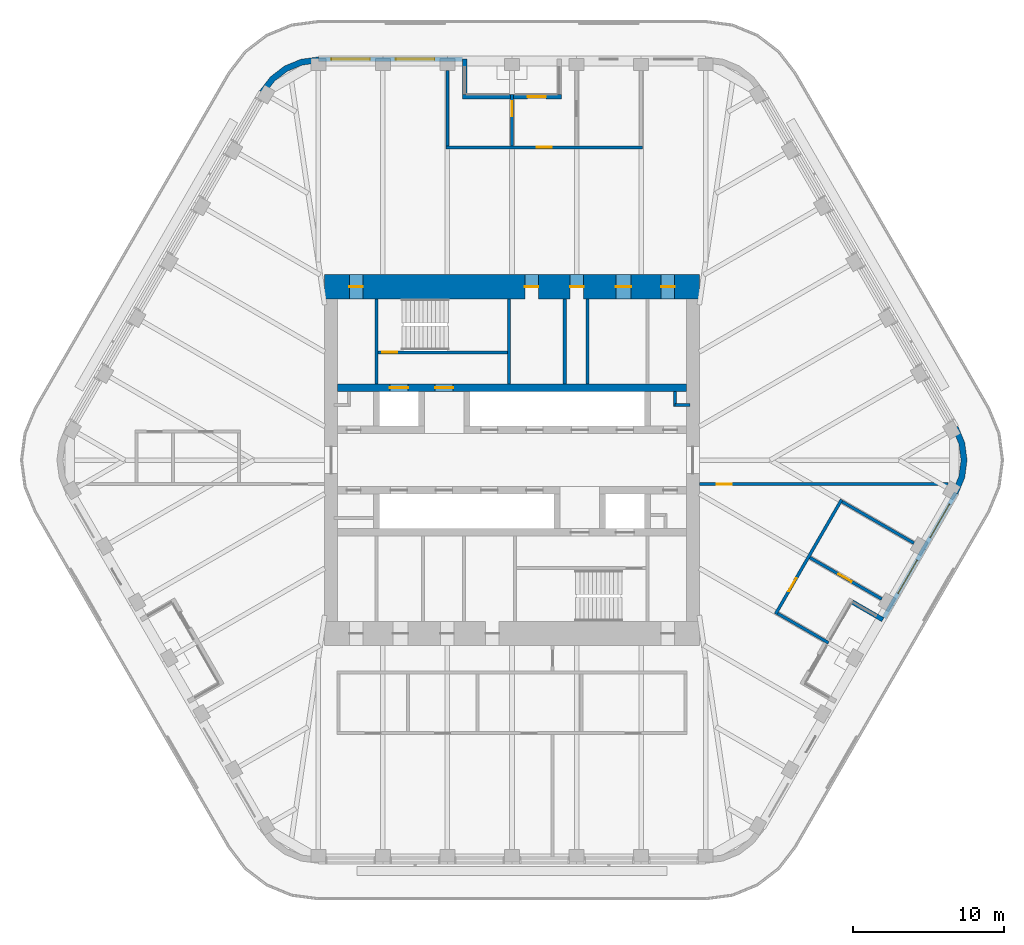
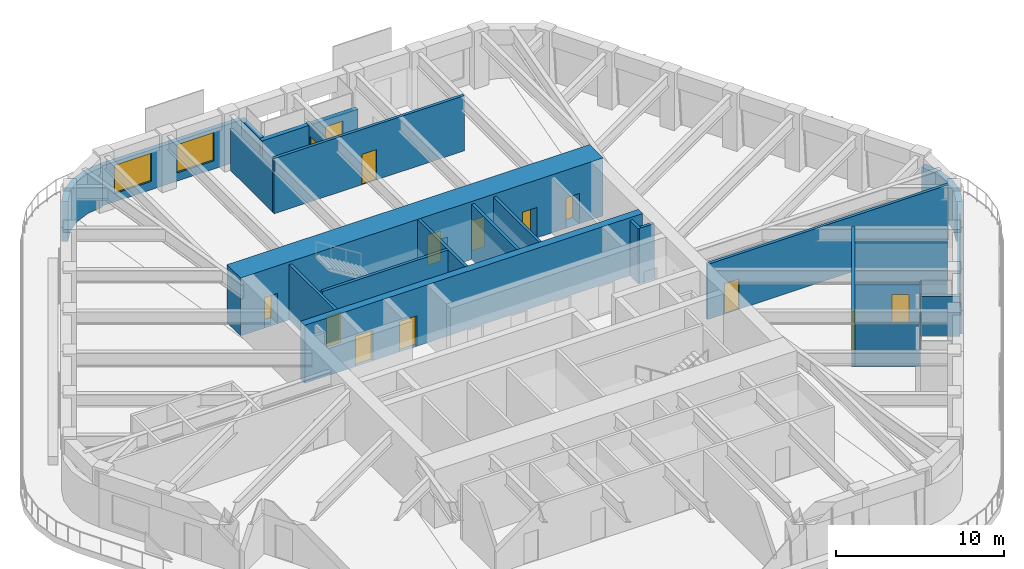
# One storey, part 15 of 19: 24 walls, 14 doors, 4 windows, 18 openings.
"""IFC4 building model written with IfcOpenShell, lengths in metres."""

from ifc_helpers import new_model, si_unit, direction, frame, frame_2d, origin, place, context, subcontext, project, spatial, polyline, rectangle, outline, extrude, material, layer, layer_set, type_object, element, fill, save


model = new_model("IFC4")

# Units and contexts
model_context = context("Model", 3, precision=1e-05, world=origin(), true_north=direction((0.0, 1.0)))
body_context = subcontext(model_context, "Body", "Model", "MODEL_VIEW")
ifc_project = project(units=[si_unit("LENGTHUNIT", "METRE"), si_unit("AREAUNIT", "SQUARE_METRE"), si_unit("VOLUMEUNIT", "CUBIC_METRE"), si_unit("PLANEANGLEUNIT", "RADIAN"), si_unit("MASSUNIT", "GRAM", prefix="KILO")], contexts=[model_context])

# Site, building, storey
site_placement = place(None, origin())
site = spatial("IfcSite", under=ifc_project, at=site_placement, CompositionType="ELEMENT")
building_placement = place(site_placement, origin())
building = spatial("IfcBuilding", under=site, at=building_placement, Name="Tarfa Lantern Tower", CompositionType="ELEMENT")
storey_placement = place(building_placement, frame((0.0, 0.0, 332.5)))
storey = spatial("IfcBuildingStorey", under=building, at=storey_placement, Name="L75", CompositionType="ELEMENT", Elevation=332.5)

# Wall, openings, windows
ifc_material_1 = material(Name="Limestone cladding on blockwork", Category="masonry")
ifc_layer_1 = layer(ifc_material_1, 0.300048828125)
ifc_layer_set_1 = layer_set([ifc_layer_1], Name="EW1 STONE-CLAD WALL 300")
wall_type_1 = type_object("IfcWallType", Name="EW1 STONE-CLAD WALL 300", PredefinedType="SOLIDWALL", material=ifc_layer_set_1)
wall_1_placement = place(storey_placement, frame((-3.281982421875, 26.60009765625, 0.0), z_axis=(0.0, 0.0, 1.0), x_axis=(-1.0, 0.0, 0.0)))
wall_1 = element("IfcWall", 1, at=wall_1_placement, inside=storey, type_object=wall_type_1, Name="Stone wall NB", PredefinedType="SOLIDWALL", context=body_context, shape_type="SweptSolid", body=[
    extrude(rectangle(XDim=9.56396484375, YDim=0.300048828125, at=frame_2d((4.781982421875, 0.0))), origin(), (0.0, 0.0, 1.0), 2.89990234375),
])
opening_1_placement = place(wall_1_placement, frame((1.865966796875, 0.0, 0.60009765625)))
opening_1 = element("IfcOpeningElement", 2, at=opening_1_placement, cuts=wall_1, Name="Opening W17", PredefinedType="OPENING", context=body_context, shape_type="SweptSolid", body=[
    extrude(rectangle(XDim=2.550048828125, YDim=2.050048828125, at=frame_2d((1.27490234375, 1.02490234375))), frame((0.0, 0.159912109375, 0.0), z_axis=(0.0, -1.0, 0.0), x_axis=(1.0, 0.0, 0.0)), (0.0, 0.0, 1.0), 0.320068359375),
])
opening_2_placement = place(wall_1_placement, frame((6.14794921875, 0.0, 0.60009765625)))
opening_2 = element("IfcOpeningElement", 3, at=opening_2_placement, cuts=wall_1, Name="Opening W17", PredefinedType="OPENING", context=body_context, shape_type="SweptSolid", body=[
    extrude(rectangle(XDim=2.550048828125, YDim=2.050048828125, at=frame_2d((1.27490234375, 1.02490234375))), frame((0.0, 0.159912109375, 0.0), z_axis=(0.0, -1.0, 0.0), x_axis=(1.0, 0.0, 0.0)), (0.0, 0.0, 1.0), 0.320068359375),
])
ifc_material_2 = material(Name="Aluminium frame, double glazed", Category="aluminium")
window_type = type_object("IfcWindowType", Name="W17 FULL-HEIGHT GLAZING 2550x2050", PartitioningType="SINGLE_PANEL", PredefinedType="WINDOW", material=ifc_material_2)
window_1_placement = place(opening_1_placement, origin())
window_1 = element("IfcWindow", 4, at=window_1_placement, inside=storey, type_object=window_type, Name="Window NB 1", OverallHeight=2.050048828125, OverallWidth=2.550048828125, PartitioningType="SINGLE_PANEL", PredefinedType="WINDOW", context=body_context, shape_type="SweptSolid", body=[
    extrude(rectangle(XDim=2.550048828125, YDim=2.050048828125, at=frame_2d((1.27490234375, 1.02490234375))), frame((0.0, 0.030029296875, 0.0), z_axis=(0.0, -1.0, 0.0), x_axis=(1.0, 0.0, 0.0)), (0.0, 0.0, 1.0), 0.06005859375),
])
fill(opening_1, window_1)
window_2_placement = place(opening_2_placement, origin())
window_2 = element("IfcWindow", 5, at=window_2_placement, inside=storey, type_object=window_type, Name="Window NB 2", OverallHeight=2.050048828125, OverallWidth=2.550048828125, PartitioningType="SINGLE_PANEL", PredefinedType="WINDOW", context=body_context, shape_type="SweptSolid", body=[
    extrude(rectangle(XDim=2.550048828125, YDim=2.050048828125, at=frame_2d((1.27490234375, 1.02490234375))), frame((0.0, 0.030029296875, 0.0), z_axis=(0.0, -1.0, 0.0), x_axis=(1.0, 0.0, 0.0)), (0.0, 0.0, 1.0), 0.06005859375),
])
fill(opening_2, window_2)

# Wall
wall_2_placement = place(storey_placement, frame((-3.132080078125, 26.60009765625, 0.0), z_axis=(0.0, 0.0, 1.0), x_axis=(0.0, -1.0, 0.0)))
element("IfcWall", 6, at=wall_2_placement, inside=storey, type_object=wall_type_1, Name="Terrace return N 2", PredefinedType="SOLIDWALL", context=body_context, shape_type="SweptSolid", body=[
    extrude(rectangle(XDim=2.35009765625, YDim=0.300048828125, at=frame_2d((1.175048828125, 0.0))), origin(), (0.0, 0.0, 1.0), 2.89990234375),
])

# Wall, opening, door
wall_3_placement = place(storey_placement, frame((3.281982421875, 24.10009765625, 0.0), z_axis=(0.0, 0.0, 1.0), x_axis=(-1.0, 0.0, 0.0)))
wall_3 = element("IfcWall", 7, at=wall_3_placement, inside=storey, type_object=wall_type_1, Name="Stone wall NS", PredefinedType="SOLIDWALL", context=body_context, shape_type="SweptSolid", body=[
    extrude(rectangle(XDim=6.56396484375, YDim=0.300048828125, at=frame_2d((3.281982421875, 0.0))), origin(), (0.0, 0.0, 1.0), 2.89990234375),
])
opening_3_placement = place(wall_3_placement, frame((1.041015625, 0.0, 0.0)))
opening_3 = element("IfcOpeningElement", 8, at=opening_3_placement, cuts=wall_3, Name="Opening D36", PredefinedType="OPENING", context=body_context, shape_type="SweptSolid", body=[
    extrude(rectangle(XDim=1.199951171875, YDim=2.39990234375, at=frame_2d((0.60009765625, 1.199951171875))), frame((0.0, 0.159912109375, 0.0), z_axis=(0.0, -1.0, 0.0), x_axis=(1.0, 0.0, 0.0)), (0.0, 0.0, 1.0), 0.320068359375),
])
ifc_material_3 = material(Name="Aluminium framed glazed door", Category="aluminium")
door_type_1 = type_object("IfcDoorType", Name="BE3 BALCONY DOOR 1200x2400", OperationType="SINGLE_SWING_RIGHT", PredefinedType="DOOR", material=ifc_material_3)
door_1_placement = place(opening_3_placement, origin())
door_1 = element("IfcDoor", 9, at=door_1_placement, inside=storey, type_object=door_type_1, Name="Balcony door NS", OperationType="SINGLE_SWING_LEFT", OverallHeight=2.39990234375, OverallWidth=1.199951171875, PredefinedType="DOOR", context=body_context, shape_type="SweptSolid", body=[
    extrude(rectangle(XDim=1.199951171875, YDim=2.39990234375, at=frame_2d((0.60009765625, 1.199951171875))), frame((0.0, 0.02490234375, 0.0), z_axis=(0.0, -1.0, 0.0), x_axis=(1.0, 0.0, 0.0)), (0.0, 0.0, 1.0), 0.050048828125),
])
fill(opening_3, door_1)

# Wall, openings, windows
wall_4_placement = place(storey_placement, frame((24.67724609375, -10.457763671875, 0.0), z_axis=(0.0, 0.0, 1.0), x_axis=(0.499996453679, 0.866027451244, 0.0)))
wall_4 = element("IfcWall", 10, at=wall_4_placement, inside=storey, type_object=wall_type_1, Name="Stone wall SEB", PredefinedType="SOLIDWALL", context=body_context, shape_type="SweptSolid", body=[
    extrude(rectangle(XDim=9.56396484375, YDim=0.300048828125, at=frame_2d((4.781982421875, 0.0))), origin(), (0.0, 0.0, 1.0), 2.89990234375),
])
opening_4_placement = place(wall_4_placement, frame((1.865966796875, 0.0, 0.60009765625)))
opening_4 = element("IfcOpeningElement", 11, at=opening_4_placement, cuts=wall_4, Name="Opening W17", PredefinedType="OPENING", context=body_context, shape_type="SweptSolid", body=[
    extrude(rectangle(XDim=2.550048828125, YDim=2.050048828125, at=frame_2d((1.27490234375, 1.02490234375))), frame((0.0, 0.159912109375, 0.0), z_axis=(0.0, -1.0, 0.0), x_axis=(1.0, 0.0, 0.0)), (0.0, 0.0, 1.0), 0.320068359375),
])
opening_5_placement = place(wall_4_placement, frame((6.14794921875, 0.0, 0.60009765625)))
opening_5 = element("IfcOpeningElement", 12, at=opening_5_placement, cuts=wall_4, Name="Opening W17", PredefinedType="OPENING", context=body_context, shape_type="SweptSolid", body=[
    extrude(rectangle(XDim=2.550048828125, YDim=2.050048828125, at=frame_2d((1.27490234375, 1.02490234375))), frame((0.0, 0.159912109375, 0.0), z_axis=(0.0, -1.0, 0.0), x_axis=(1.0, 0.0, 0.0)), (0.0, 0.0, 1.0), 0.320068359375),
])
window_3_placement = place(opening_4_placement, origin())
window_3 = element("IfcWindow", 13, at=window_3_placement, inside=storey, type_object=window_type, Name="Window SEB 1", OverallHeight=2.050048828125, OverallWidth=2.550048828125, PartitioningType="SINGLE_PANEL", PredefinedType="WINDOW", context=body_context, shape_type="SweptSolid", body=[
    extrude(rectangle(XDim=2.550048828125, YDim=2.050048828125, at=frame_2d((1.27490234375, 1.02490234375))), frame((0.0, 0.030029296875, 0.0), z_axis=(0.0, -1.0, 0.0), x_axis=(1.0, 0.0, 0.0)), (0.0, 0.0, 1.0), 0.06005859375),
])
fill(opening_4, window_3)
window_4_placement = place(opening_5_placement, origin())
window_4 = element("IfcWindow", 14, at=window_4_placement, inside=storey, type_object=window_type, Name="Window SEB 2", OverallHeight=2.050048828125, OverallWidth=2.550048828125, PartitioningType="SINGLE_PANEL", PredefinedType="WINDOW", context=body_context, shape_type="SweptSolid", body=[
    extrude(rectangle(XDim=2.550048828125, YDim=2.050048828125, at=frame_2d((1.27490234375, 1.02490234375))), frame((0.0, 0.030029296875, 0.0), z_axis=(0.0, -1.0, 0.0), x_axis=(1.0, 0.0, 0.0)), (0.0, 0.0, 1.0), 0.06005859375),
])
fill(opening_5, window_4)

# Walls
wall_5_placement = place(storey_placement, frame((24.602294921875, -10.587646484375, 0.0), z_axis=(0.0, 0.0, 1.0), x_axis=(-0.866016039709, 0.500016218704, 0.0)))
element("IfcWall", 15, at=wall_5_placement, inside=storey, type_object=wall_type_1, Name="Terrace return SE 2", PredefinedType="SOLIDWALL", context=body_context, shape_type="SweptSolid", body=[
    extrude(rectangle(XDim=2.35009765625, YDim=0.300048828125, at=frame_2d((1.175048828125, 0.0))), origin(), (0.0, 0.0, 1.0), 2.89990234375),
])
ifc_layer_2 = layer(ifc_material_1, 0.39990234375)
ifc_layer_set_2 = layer_set([ifc_layer_2], Name="EW2 CURVED STONE CORNER 400")
wall_type_2 = type_object("IfcWallType", Name="EW2 CURVED STONE CORNER 400", PredefinedType="SOLIDWALL", material=ifc_layer_set_2)
wall_6_placement = place(storey_placement, origin())
element("IfcWall", 16, at=wall_6_placement, inside=storey, type_object=wall_type_2, Name="Stone corner N-NW", PredefinedType="SOLIDWALL", context=body_context, shape_type="SweptSolid", body=[
    extrude(outline(polyline([(-12.845947265625, 26.75), (-14.0107421875, 26.5966796875), (-15.095947265625, 26.147216796875), (-16.028076171875, 25.431884765625), (-16.7431640625, 24.5), (-16.396728515625, 24.300048828125), (-15.7451171875, 25.149169921875), (-14.89599609375, 25.80078125), (-13.9072265625, 26.210205078125), (-12.845947265625, 26.35009765625), (-12.845947265625, 26.75)])), origin(), (0.0, 0.0, 1.0), 2.89990234375),
])
wall_7_placement = place(storey_placement, origin())
element("IfcWall", 17, at=wall_7_placement, inside=storey, type_object=wall_type_2, Name="Stone corner SE-NE", PredefinedType="SOLIDWALL", context=body_context, shape_type="SweptSolid", body=[
    extrude(outline(polyline([(29.589111328125, -2.25), (30.038818359375, -1.164794921875), (30.192138671875, 0.0), (30.038818359375, 1.164794921875), (29.589111328125, 2.25), (29.24267578125, 2.050048828125), (29.65234375, 1.061279296875), (29.7919921875, 0.0), (29.65234375, -1.061279296875), (29.24267578125, -2.050048828125), (29.589111328125, -2.25)])), origin(), (0.0, 0.0, 1.0), 2.89990234375),
])
ifc_material_4 = material(Name="Concrete blockwork", Category="masonry")
ifc_layer_3 = layer(ifc_material_4, 0.199951171875)
ifc_layer_set_3 = layer_set([ifc_layer_3], Name="IW1 BLOCKWORK PARTITION 200 EI 120")
wall_type_3 = type_object("IfcWallType", Name="IW1 BLOCKWORK PARTITION 200 EI 120", PredefinedType="PARTITIONING", material=ifc_layer_set_3)
for number, where, z_axis, x_axis, name in (
    (18, (-9.0, 5.050048828125, 0.0), (0.0, 0.0, 1.0), (0.0, 1.0, 0.0), "Core partition"),
    (19, (3.5, 5.050048828125, 0.0), (0.0, 0.0, 1.0), (0.0, 1.0, 0.0), "Core partition"),
    (20, (5.0, 5.050048828125, 0.0), (0.0, 0.0, 1.0), (0.0, 1.0, 0.0), "Core partition"),
):
    element("IfcWall", number, at=place(storey_placement, frame(where, z_axis=z_axis, x_axis=x_axis)), inside=storey, type_object=wall_type_3, Name=name, PredefinedType="PARTITIONING", context=body_context, shape_type="SweptSolid", body=[
        extrude(rectangle(XDim=5.64990234375, YDim=0.199951171875, at=frame_2d((2.824951171875, 0.0))), origin(), (0.0, 0.0, 1.0), 4.0),
    ])
for number, where, z_axis, x_axis, name in (
    (21, (10.800048828125, 3.64990234375, 0.0), (0.0, 0.0, 1.0), (1.0, 0.0, 0.0), "Core partition"),
    (22, (10.800048828125, 3.550048828125, 0.0), (0.0, 0.0, 1.0), (0.0, 1.0, 0.0), "Core partition"),
):
    element("IfcWall", number, at=place(storey_placement, frame(where, z_axis=z_axis, x_axis=x_axis)), inside=storey, type_object=wall_type_3, Name=name, PredefinedType="PARTITIONING", context=body_context, shape_type="SweptSolid", body=[
        extrude(rectangle(XDim=1.0, YDim=0.199951171875, at=frame_2d((0.5, 0.0))), origin(), (0.0, 0.0, 1.0), 4.0),
    ])

# Wall, opening, door
ifc_material_5 = material(Name="Gypsum board on steel studs", Category="steel")
ifc_layer_4 = layer(ifc_material_5, 0.2099609375)
ifc_layer_set_4 = layer_set([ifc_layer_4], Name="IW2 ACOUSTIC PARTITION 200")
wall_type_4 = type_object("IfcWallType", Name="IW2 ACOUSTIC PARTITION 200", PredefinedType="PARTITIONING", material=ifc_layer_set_4)
wall_8_placement = place(storey_placement, frame((8.6640625, 20.75, 0.0), z_axis=(0.0, 0.0, 1.0), x_axis=(-1.0, 0.0, 0.0)))
wall_8 = element("IfcWall", 23, at=wall_8_placement, inside=storey, type_object=wall_type_4, Name="Partition", PredefinedType="PARTITIONING", context=body_context, shape_type="SweptSolid", body=[
    extrude(rectangle(XDim=13.046142578125, YDim=0.199951171875, at=frame_2d((6.52294921875, 0.0))), origin(), (0.0, 0.0, 1.0), 4.0),
])
opening_6_placement = place(wall_8_placement, frame((6.02294921875, 0.0, 0.0)))
opening_6 = element("IfcOpeningElement", 24, at=opening_6_placement, cuts=wall_8, Name="Opening D22", PredefinedType="OPENING", context=body_context, shape_type="SweptSolid", body=[
    extrude(rectangle(XDim=1.0, YDim=2.199951171875, at=frame_2d((0.5, 1.10009765625))), frame((0.0, 0.10986328125, 0.0), z_axis=(0.0, -1.0, 0.0), x_axis=(1.0, 0.0, 0.0)), (0.0, 0.0, 1.0), 0.219970703125),
])
ifc_material_6 = material(Name="Timber door", Category="wood")
door_type_2 = type_object("IfcDoorType", Name="DR1 ROOM DOOR 1000x2200", OperationType="SINGLE_SWING_LEFT", PredefinedType="DOOR", material=ifc_material_6)
door_2_placement = place(opening_6_placement, frame((1.0, 0.0, 0.0), z_axis=(0.0, 0.0, 1.0), x_axis=(-1.0, 0.0, 0.0)))
door_2 = element("IfcDoor", 25, at=door_2_placement, inside=storey, type_object=door_type_2, Name="PA area door", OperationType="SINGLE_SWING_RIGHT", OverallHeight=2.199951171875, OverallWidth=1.0, PredefinedType="DOOR", context=body_context, shape_type="SweptSolid", body=[
    extrude(rectangle(XDim=1.0, YDim=2.199951171875, at=frame_2d((0.5, 1.10009765625))), frame((0.0, 0.02490234375, 0.0), z_axis=(0.0, -1.0, 0.0), x_axis=(1.0, 0.0, 0.0)), (0.0, 0.0, 1.0), 0.050048828125),
])
fill(opening_6, door_2)

wall_9_placement = place(storey_placement, frame((0.0, 20.85009765625, 0.0), z_axis=(0.0, 0.0, 1.0), x_axis=(0.0, 1.0, 0.0)))
wall_9 = element("IfcWall", 26, at=wall_9_placement, inside=storey, type_object=wall_type_4, Name="Partition", PredefinedType="PARTITIONING", context=body_context, shape_type="SweptSolid", body=[
    extrude(rectangle(XDim=3.40087890625, YDim=0.199951171875, at=frame_2d((1.700439453125, 0.0))), origin(), (0.0, 0.0, 1.0), 2.991943359375),
])
opening_7_placement = place(wall_9_placement, frame((1.949951171875, 0.0, 0.0)))
opening_7 = element("IfcOpeningElement", 27, at=opening_7_placement, cuts=wall_9, Name="Opening D23", PredefinedType="OPENING", context=body_context, shape_type="SweptSolid", body=[
    extrude(rectangle(XDim=1.0, YDim=2.199951171875, at=frame_2d((0.5, 1.10009765625))), frame((0.0, 0.10986328125, 0.0), z_axis=(0.0, -1.0, 0.0), x_axis=(1.0, 0.0, 0.0)), (0.0, 0.0, 1.0), 0.219970703125),
])
door_3_placement = place(opening_7_placement, origin())
door_3 = element("IfcDoor", 28, at=door_3_placement, inside=storey, type_object=door_type_2, Name="File room door", OperationType="SINGLE_SWING_LEFT", OverallHeight=2.199951171875, OverallWidth=1.0, PredefinedType="DOOR", context=body_context, shape_type="SweptSolid", body=[
    extrude(rectangle(XDim=1.0, YDim=2.199951171875, at=frame_2d((0.5, 1.10009765625))), frame((0.0, 0.02490234375, 0.0), z_axis=(0.0, -1.0, 0.0), x_axis=(1.0, 0.0, 0.0)), (0.0, 0.0, 1.0), 0.050048828125),
])
fill(opening_7, door_3)

# Wall
wall_10_placement = place(storey_placement, frame((-4.281982421875, 20.85009765625, 0.0), z_axis=(0.0, 0.0, 1.0), x_axis=(0.0, 1.0, 0.0)))
element("IfcWall", 29, at=wall_10_placement, inside=storey, type_object=wall_type_4, Name="Partition", PredefinedType="PARTITIONING", context=body_context, shape_type="SweptSolid", body=[
    extrude(rectangle(XDim=5.0, YDim=0.199951171875, at=frame_2d((2.5, 0.0))), origin(), (0.0, 0.0, 1.0), 2.991943359375),
])

# Wall, opening, door
wall_11_placement = place(storey_placement, frame((17.487060546875, -10.211669921875, 0.0), z_axis=(0.0, 0.0, 1.0), x_axis=(0.500006995557, 0.86602136486, 0.0)))
wall_11 = element("IfcWall", 30, at=wall_11_placement, inside=storey, type_object=wall_type_4, Name="Partition", PredefinedType="PARTITIONING", context=body_context, shape_type="SweptSolid", body=[
    extrude(rectangle(XDim=8.763916015625, YDim=0.199951171875, at=frame_2d((4.3818359375, 0.0))), origin(), (0.0, 0.0, 1.0), 4.0),
])
opening_8_placement = place(wall_11_placement, frame((1.740966796875, 0.0, 0.0)))
opening_8 = element("IfcOpeningElement", 31, at=opening_8_placement, cuts=wall_11, Name="Opening D24", PredefinedType="OPENING", context=body_context, shape_type="SweptSolid", body=[
    extrude(rectangle(XDim=1.0, YDim=2.199951171875, at=frame_2d((0.5, 1.10009765625))), frame((0.0, 0.10986328125, 0.0), z_axis=(0.0, -1.0, 0.0), x_axis=(1.0, 0.0, 0.0)), (0.0, 0.0, 1.0), 0.219970703125),
])
door_4_placement = place(opening_8_placement, frame((1.0, 0.0, 0.0), z_axis=(0.0, 0.0, 1.0), x_axis=(-1.0, 0.0, 0.0)))
door_4 = element("IfcDoor", 32, at=door_4_placement, inside=storey, type_object=door_type_2, Name="PA area door", OperationType="SINGLE_SWING_LEFT", OverallHeight=2.199951171875, OverallWidth=1.0, PredefinedType="DOOR", context=body_context, shape_type="SweptSolid", body=[
    extrude(rectangle(XDim=1.0, YDim=2.199951171875, at=frame_2d((0.5, 1.10009765625))), frame((0.0, 0.02490234375, 0.0), z_axis=(0.0, -1.0, 0.0), x_axis=(1.0, 0.0, 0.0)), (0.0, 0.0, 1.0), 0.050048828125),
])
fill(opening_8, door_4)

# Wall
wall_12_placement = place(storey_placement, frame((17.62353515625, -10.175048828125, 0.0), z_axis=(0.0, 0.0, 1.0), x_axis=(0.86603551244, -0.499982490886, 0.0)))
element("IfcWall", 33, at=wall_12_placement, inside=storey, type_object=wall_type_4, Name="Partition", PredefinedType="PARTITIONING", context=body_context, shape_type="SweptSolid", body=[
    extrude(rectangle(XDim=3.901123046875, YDim=0.199951171875, at=frame_2d((1.95068359375, 0.0))), origin(), (0.0, 0.0, 1.0), 3.08154296875),
])

# Wall, opening, door
wall_13_placement = place(storey_placement, frame((19.7646484375, -6.466552734375, 0.0), z_axis=(0.0, 0.0, 1.0), x_axis=(0.866027397988, -0.499996545922, 0.0)))
wall_13 = element("IfcWall", 34, at=wall_13_placement, inside=storey, type_object=wall_type_4, Name="Partition", PredefinedType="PARTITIONING", context=body_context, shape_type="SweptSolid", body=[
    extrude(rectangle(XDim=5.5, YDim=0.199951171875, at=frame_2d((2.75, 0.0))), origin(), (0.0, 0.0, 1.0), 2.991943359375),
])
opening_9_placement = place(wall_13_placement, frame((2.199951171875, 0.0, 0.0)))
opening_9 = element("IfcOpeningElement", 35, at=opening_9_placement, cuts=wall_13, Name="Opening D25", PredefinedType="OPENING", context=body_context, shape_type="SweptSolid", body=[
    extrude(rectangle(XDim=1.0, YDim=2.199951171875, at=frame_2d((0.5, 1.10009765625))), frame((0.0, 0.10986328125, 0.0), z_axis=(0.0, -1.0, 0.0), x_axis=(1.0, 0.0, 0.0)), (0.0, 0.0, 1.0), 0.219970703125),
])
door_5_placement = place(opening_9_placement, frame((1.0, 0.0, 0.0), z_axis=(0.0, 0.0, 1.0), x_axis=(-1.0, 0.0, 0.0)))
door_5 = element("IfcDoor", 36, at=door_5_placement, inside=storey, type_object=door_type_2, Name="Executive office door", OperationType="SINGLE_SWING_LEFT", OverallHeight=2.199951171875, OverallWidth=1.0, PredefinedType="DOOR", context=body_context, shape_type="SweptSolid", body=[
    extrude(rectangle(XDim=1.0, YDim=2.199951171875, at=frame_2d((0.5, 1.10009765625))), frame((0.0, 0.02490234375, 0.0), z_axis=(0.0, -1.0, 0.0), x_axis=(1.0, 0.0, 0.0)), (0.0, 0.0, 1.0), 0.050048828125),
])
fill(opening_9, door_5)

# Wall
wall_14_placement = place(storey_placement, frame((21.905517578125, -2.75830078125, 0.0), z_axis=(0.0, 0.0, 1.0), x_axis=(0.866027397988, -0.499996545922, 0.0)))
element("IfcWall", 37, at=wall_14_placement, inside=storey, type_object=wall_type_4, Name="Partition", PredefinedType="PARTITIONING", context=body_context, shape_type="SweptSolid", body=[
    extrude(rectangle(XDim=5.5, YDim=0.199951171875, at=frame_2d((2.75, 0.0))), origin(), (0.0, 0.0, 1.0), 3.08154296875),
])

# Wall, opening, door
wall_15_placement = place(storey_placement, frame((12.425048828125, -1.60009765625, 0.0), z_axis=(0.0, 0.0, 1.0), x_axis=(1.0, 0.0, 0.0)))
wall_15 = element("IfcWall", 38, at=wall_15_placement, inside=storey, type_object=wall_type_4, Name="Partition", PredefinedType="PARTITIONING", context=body_context, shape_type="SweptSolid", body=[
    extrude(rectangle(XDim=16.500244140625, YDim=0.199951171875, at=frame_2d((8.25, 0.0))), origin(), (0.0, 0.0, 1.0), 4.0),
])
opening_10_placement = place(wall_15_placement, frame((1.150146484375, 0.0, 0.0)))
opening_10 = element("IfcOpeningElement", 39, at=opening_10_placement, cuts=wall_15, Name="Opening D32", PredefinedType="OPENING", context=body_context, shape_type="SweptSolid", body=[
    extrude(rectangle(XDim=1.0, YDim=2.199951171875, at=frame_2d((0.5, 1.10009765625))), frame((0.0, 0.10986328125, 0.0), z_axis=(0.0, -1.0, 0.0), x_axis=(1.0, 0.0, 0.0)), (0.0, 0.0, 1.0), 0.219970703125),
])
door_6_placement = place(opening_10_placement, frame((1.0, 0.0, 0.0), z_axis=(0.0, 0.0, 1.0), x_axis=(-1.0, 0.0, 0.0)))
door_6 = element("IfcDoor", 40, at=door_6_placement, inside=storey, type_object=door_type_2, Name="Zone door", OperationType="SINGLE_SWING_LEFT", OverallHeight=2.199951171875, OverallWidth=1.0, PredefinedType="DOOR", context=body_context, shape_type="SweptSolid", body=[
    extrude(rectangle(XDim=1.0, YDim=2.199951171875, at=frame_2d((0.5, 1.10009765625))), frame((0.0, 0.02490234375, 0.0), z_axis=(0.0, -1.0, 0.0), x_axis=(1.0, 0.0, 0.0)), (0.0, 0.0, 1.0), 0.050048828125),
])
fill(opening_10, door_6)

# Wall
ifc_material_7 = material(Name="Concrete C80/95", Category="concrete")
ifc_layer_5 = layer(ifc_material_7, 0.199951171875)
ifc_layer_set_5 = layer_set([ifc_layer_5], Name="SW12 CORE WALL 200")
wall_type_5 = type_object("IfcWallType", Name="SW12 CORE WALL 200", PredefinedType="SHEAR", material=ifc_layer_set_5)
wall_16_placement = place(storey_placement, frame((-0.199951171875, 5.050048828125, 0.0), z_axis=(0.0, 0.0, 1.0), x_axis=(0.0, 1.0, 0.0)))
element("IfcWall", 41, at=wall_16_placement, inside=storey, type_object=wall_type_5, Name="Core wall stair shaft N", PredefinedType="SHEAR", context=body_context, shape_type="SweptSolid", body=[
    extrude(rectangle(XDim=5.64990234375, YDim=0.199951171875, at=frame_2d((2.824951171875, 0.0))), origin(), (0.0, 0.0, 1.0), 4.199951171875),
])

# Wall, opening, door
wall_17_placement = place(storey_placement, frame((-8.89990234375, 7.14990234375, 0.0), z_axis=(0.0, 0.0, 1.0), x_axis=(1.0, 0.0, 0.0)))
wall_17 = element("IfcWall", 42, at=wall_17_placement, inside=storey, type_object=wall_type_5, Name="Core wall stair partition N", PredefinedType="SHEAR", context=body_context, shape_type="SweptSolid", body=[
    extrude(rectangle(XDim=8.599853515625, YDim=0.199951171875, at=frame_2d((4.2998046875, 0.0))), origin(), (0.0, 0.0, 1.0), 4.199951171875),
])
opening_11_placement = place(wall_17_placement, frame((0.300048828125, 0.0, 0.0)))
opening_11 = element("IfcOpeningElement", 43, at=opening_11_placement, cuts=wall_17, Name="Opening D19", PredefinedType="OPENING", context=body_context, shape_type="SweptSolid", body=[
    extrude(rectangle(XDim=1.0, YDim=2.199951171875, at=frame_2d((0.5, 1.10009765625))), frame((0.0, 0.10986328125, 0.0), z_axis=(0.0, -1.0, 0.0), x_axis=(1.0, 0.0, 0.0)), (0.0, 0.0, 1.0), 0.219970703125),
])
ifc_material_8 = material(Name="Steel fire door", Category="steel")
door_type_3 = type_object("IfcDoorType", Name="DF2 STAIR DOOR 1000x2200", OperationType="SINGLE_SWING_LEFT", PredefinedType="DOOR", material=ifc_material_8)
door_7_placement = place(opening_11_placement, origin())
door_7 = element("IfcDoor", 44, at=door_7_placement, inside=storey, type_object=door_type_3, Name="Stair door", OperationType="SINGLE_SWING_RIGHT", OverallHeight=2.199951171875, OverallWidth=1.0, PredefinedType="DOOR", context=body_context, shape_type="SweptSolid", body=[
    extrude(rectangle(XDim=1.0, YDim=2.199951171875, at=frame_2d((0.5, 1.10009765625))), frame((0.0, 0.02490234375, 0.0), z_axis=(0.0, -1.0, 0.0), x_axis=(1.0, 0.0, 0.0)), (0.0, 0.0, 1.0), 0.050048828125),
])
fill(opening_11, door_7)

# Wall, openings, doors
ifc_layer_6 = layer(ifc_material_7, 0.5)
ifc_layer_set_6 = layer_set([ifc_layer_6], Name="SW5 CORE WALL 500")
wall_type_6 = type_object("IfcWallType", Name="SW5 CORE WALL 500", PredefinedType="SHEAR", material=ifc_layer_set_6)
wall_18_placement = place(storey_placement, frame((-11.574951171875, 4.800048828125, 0.0), z_axis=(0.0, 0.0, 1.0), x_axis=(1.0, 0.0, 0.0)))
wall_18 = element("IfcWall", 45, at=wall_18_placement, inside=storey, type_object=wall_type_6, Name="Core wall rear N", PredefinedType="SHEAR", context=body_context, shape_type="SweptSolid", body=[
    extrude(rectangle(XDim=23.14990234375, YDim=0.5, at=frame_2d((11.574951171875, 0.0))), origin(), (0.0, 0.0, 1.0), 4.199951171875),
])
opening_12_placement = place(wall_18_placement, frame((6.47509765625, 0.0, 0.0)))
opening_12 = element("IfcOpeningElement", 46, at=opening_12_placement, cuts=wall_18, Name="Opening D05", PredefinedType="OPENING", context=body_context, shape_type="SweptSolid", body=[
    extrude(rectangle(XDim=1.199951171875, YDim=2.199951171875, at=frame_2d((0.60009765625, 1.10009765625))), frame((0.0, 0.260009765625, 0.0), z_axis=(0.0, -1.0, 0.0), x_axis=(1.0, 0.0, 0.0)), (0.0, 0.0, 1.0), 0.52001953125),
])
opening_13_placement = place(wall_18_placement, frame((3.47509765625, 0.0, 0.0)))
opening_13 = element("IfcOpeningElement", 47, at=opening_13_placement, cuts=wall_18, Name="Opening LD01", PredefinedType="OPENING", context=body_context, shape_type="SweptSolid", body=[
    extrude(rectangle(XDim=1.199951171875, YDim=2.199951171875, at=frame_2d((0.60009765625, 1.10009765625))), frame((0.0, 0.260009765625, 0.0), z_axis=(0.0, -1.0, 0.0), x_axis=(1.0, 0.0, 0.0)), (0.0, 0.0, 1.0), 0.52001953125),
])
door_type_4 = type_object("IfcDoorType", Name="DF1 FIREFIGHTING LOBBY DOOR 1200x2200", OperationType="SINGLE_SWING_LEFT", PredefinedType="DOOR", material=ifc_material_8)
door_8_placement = place(opening_12_placement, origin())
door_8 = element("IfcDoor", 48, at=door_8_placement, inside=storey, type_object=door_type_4, Name="Firefighting lobby door", OperationType="SINGLE_SWING_LEFT", OverallHeight=2.199951171875, OverallWidth=1.199951171875, PredefinedType="DOOR", context=body_context, shape_type="SweptSolid", body=[
    extrude(rectangle(XDim=1.199951171875, YDim=2.199951171875, at=frame_2d((0.60009765625, 1.10009765625))), frame((0.0, 0.02490234375, 0.0), z_axis=(0.0, -1.0, 0.0), x_axis=(1.0, 0.0, 0.0)), (0.0, 0.0, 1.0), 0.050048828125),
])
fill(opening_12, door_8)
ifc_material_9 = material(Name="Stainless steel lift door", Category="steel")
door_type_5 = type_object("IfcDoorType", Name="LD1 LIFT LANDING DOOR 1200x2200", OperationType="SLIDING_TO_LEFT", PredefinedType="DOOR", material=ifc_material_9)
door_9_placement = place(opening_13_placement, origin())
door_9 = element("IfcDoor", 49, at=door_9_placement, inside=storey, type_object=door_type_5, Name="Landing door FL1", OperationType="SLIDING_TO_LEFT", OverallHeight=2.199951171875, OverallWidth=1.199951171875, PredefinedType="DOOR", context=body_context, shape_type="SweptSolid", body=[
    extrude(rectangle(XDim=1.199951171875, YDim=2.199951171875, at=frame_2d((0.60009765625, 1.10009765625))), frame((0.0, 0.02490234375, 0.0), z_axis=(0.0, -1.0, 0.0), x_axis=(1.0, 0.0, 0.0)), (0.0, 0.0, 1.0), 0.050048828125),
])
fill(opening_13, door_9)

ifc_layer_7 = layer(ifc_material_7, 1.60009765625)
ifc_layer_set_7 = layer_set([ifc_layer_7], Name="SW7 CORE WALL 1600")
wall_type_7 = type_object("IfcWallType", Name="SW7 CORE WALL 1600", PredefinedType="SHEAR", material=ifc_layer_set_7)
wall_19_placement = place(storey_placement, frame((-12.425048828125, 11.5, 0.0), z_axis=(0.0, 0.0, 1.0), x_axis=(1.0, 0.0, 0.0)))
wall_19 = element("IfcWall", 50, at=wall_19_placement, inside=storey, type_object=wall_type_7, Name="Core wall N", PredefinedType="SHEAR", context=body_context, shape_type="SweptSolid", body=[
    extrude(rectangle(XDim=24.85009765625, YDim=1.60009765625, at=frame_2d((12.425048828125, 0.0))), origin(), (0.0, 0.0, 1.0), 4.199951171875),
])
opening_14_placement = place(wall_19_placement, frame((13.27490234375, 0.0, 0.0)))
opening_14 = element("IfcOpeningElement", 51, at=opening_14_placement, cuts=wall_19, Name="Opening D13", PredefinedType="OPENING", context=body_context, shape_type="SweptSolid", body=[
    extrude(rectangle(XDim=0.89990234375, YDim=2.199951171875, at=frame_2d((0.449951171875, 1.10009765625))), frame((0.0, 0.81005859375, 0.0), z_axis=(0.0, -1.0, 0.0), x_axis=(1.0, 0.0, 0.0)), (0.0, 0.0, 1.0), 1.6201171875),
])
opening_15_placement = place(wall_19_placement, frame((16.27490234375, 0.0, 0.0)))
opening_15 = element("IfcOpeningElement", 52, at=opening_15_placement, cuts=wall_19, Name="Opening D15", PredefinedType="OPENING", context=body_context, shape_type="SweptSolid", body=[
    extrude(rectangle(XDim=0.89990234375, YDim=2.199951171875, at=frame_2d((0.449951171875, 1.10009765625))), frame((0.0, 0.81005859375, 0.0), z_axis=(0.0, -1.0, 0.0), x_axis=(1.0, 0.0, 0.0)), (0.0, 0.0, 1.0), 1.6201171875),
])
opening_16_placement = place(wall_19_placement, frame((19.324951171875, 0.0, 0.0)))
opening_16 = element("IfcOpeningElement", 53, at=opening_16_placement, cuts=wall_19, Name="Opening D17", PredefinedType="OPENING", context=body_context, shape_type="SweptSolid", body=[
    extrude(rectangle(XDim=1.0, YDim=2.199951171875, at=frame_2d((0.5, 1.10009765625))), frame((0.0, 0.81005859375, 0.0), z_axis=(0.0, -1.0, 0.0), x_axis=(1.0, 0.0, 0.0)), (0.0, 0.0, 1.0), 1.6201171875),
])
opening_17_placement = place(wall_19_placement, frame((1.637451171875, 0.0, 0.0)))
opening_17 = element("IfcOpeningElement", 54, at=opening_17_placement, cuts=wall_19, Name="Opening D03", PredefinedType="OPENING", context=body_context, shape_type="SweptSolid", body=[
    extrude(rectangle(XDim=0.89990234375, YDim=2.199951171875, at=frame_2d((0.449951171875, 1.10009765625))), frame((0.0, 0.81005859375, 0.0), z_axis=(0.0, -1.0, 0.0), x_axis=(1.0, 0.0, 0.0)), (0.0, 0.0, 1.0), 1.6201171875),
])
opening_18_placement = place(wall_19_placement, frame((22.3125, 0.0, 0.0)))
opening_18 = element("IfcOpeningElement", 55, at=opening_18_placement, cuts=wall_19, Name="Opening D01", PredefinedType="OPENING", context=body_context, shape_type="SweptSolid", body=[
    extrude(rectangle(XDim=0.89990234375, YDim=2.199951171875, at=frame_2d((0.449951171875, 1.10009765625))), frame((0.0, 0.81005859375, 0.0), z_axis=(0.0, -1.0, 0.0), x_axis=(1.0, 0.0, 0.0)), (0.0, 0.0, 1.0), 1.6201171875),
])
door_type_6 = type_object("IfcDoorType", Name="DF3 CORE ROOM DOOR 900x2200", OperationType="SINGLE_SWING_LEFT", PredefinedType="DOOR", material=ifc_material_8)
door_10_placement = place(opening_14_placement, frame((0.89990234375, 0.0, 0.0), z_axis=(0.0, 0.0, 1.0), x_axis=(-1.0, 0.0, 0.0)))
door_10 = element("IfcDoor", 56, at=door_10_placement, inside=storey, type_object=door_type_6, Name="Core door", OperationType="SINGLE_SWING_LEFT", OverallHeight=2.199951171875, OverallWidth=0.89990234375, PredefinedType="DOOR", context=body_context, shape_type="SweptSolid", body=[
    extrude(rectangle(XDim=0.89990234375, YDim=2.199951171875, at=frame_2d((0.449951171875, 1.10009765625))), frame((0.0, 0.02490234375, 0.0), z_axis=(0.0, -1.0, 0.0), x_axis=(1.0, 0.0, 0.0)), (0.0, 0.0, 1.0), 0.050048828125),
])
fill(opening_14, door_10)
door_11_placement = place(opening_15_placement, frame((0.89990234375, 0.0, 0.0), z_axis=(0.0, 0.0, 1.0), x_axis=(-1.0, 0.0, 0.0)))
door_11 = element("IfcDoor", 57, at=door_11_placement, inside=storey, type_object=door_type_6, Name="Core door", OperationType="SINGLE_SWING_RIGHT", OverallHeight=2.199951171875, OverallWidth=0.89990234375, PredefinedType="DOOR", context=body_context, shape_type="SweptSolid", body=[
    extrude(rectangle(XDim=0.89990234375, YDim=2.199951171875, at=frame_2d((0.449951171875, 1.10009765625))), frame((0.0, 0.02490234375, 0.0), z_axis=(0.0, -1.0, 0.0), x_axis=(1.0, 0.0, 0.0)), (0.0, 0.0, 1.0), 0.050048828125),
])
fill(opening_15, door_11)
door_type_7 = type_object("IfcDoorType", Name="DF4 CORE ROOM DOOR 1000x2200", OperationType="SINGLE_SWING_LEFT", PredefinedType="DOOR", material=ifc_material_8)
door_12_placement = place(opening_16_placement, frame((1.0, 0.0, 0.0), z_axis=(0.0, 0.0, 1.0), x_axis=(-1.0, 0.0, 0.0)))
door_12 = element("IfcDoor", 58, at=door_12_placement, inside=storey, type_object=door_type_7, Name="Core door", OperationType="SINGLE_SWING_RIGHT", OverallHeight=2.199951171875, OverallWidth=1.0, PredefinedType="DOOR", context=body_context, shape_type="SweptSolid", body=[
    extrude(rectangle(XDim=1.0, YDim=2.199951171875, at=frame_2d((0.5, 1.10009765625))), frame((0.0, 0.02490234375, 0.0), z_axis=(0.0, -1.0, 0.0), x_axis=(1.0, 0.0, 0.0)), (0.0, 0.0, 1.0), 0.050048828125),
])
fill(opening_16, door_12)
door_type_8 = type_object("IfcDoorType", Name="DF5 RISER DOOR 900x2200", OperationType="SINGLE_SWING_LEFT", PredefinedType="DOOR", material=ifc_material_8)
door_13_placement = place(opening_17_placement, frame((0.89990234375, 0.0, 0.0), z_axis=(0.0, 0.0, 1.0), x_axis=(-1.0, 0.0, 0.0)))
door_13 = element("IfcDoor", 59, at=door_13_placement, inside=storey, type_object=door_type_8, Name="Riser door", OperationType="SINGLE_SWING_LEFT", OverallHeight=2.199951171875, OverallWidth=0.89990234375, PredefinedType="DOOR", context=body_context, shape_type="SweptSolid", body=[
    extrude(rectangle(XDim=0.89990234375, YDim=2.199951171875, at=frame_2d((0.449951171875, 1.10009765625))), frame((0.0, 0.02490234375, 0.0), z_axis=(0.0, -1.0, 0.0), x_axis=(1.0, 0.0, 0.0)), (0.0, 0.0, 1.0), 0.050048828125),
])
fill(opening_17, door_13)
door_14_placement = place(opening_18_placement, frame((0.89990234375, 0.0, 0.0), z_axis=(0.0, 0.0, 1.0), x_axis=(-1.0, 0.0, 0.0)))
door_14 = element("IfcDoor", 60, at=door_14_placement, inside=storey, type_object=door_type_8, Name="Riser door", OperationType="SINGLE_SWING_RIGHT", OverallHeight=2.199951171875, OverallWidth=0.89990234375, PredefinedType="DOOR", context=body_context, shape_type="SweptSolid", body=[
    extrude(rectangle(XDim=0.89990234375, YDim=2.199951171875, at=frame_2d((0.449951171875, 1.10009765625))), frame((0.0, 0.02490234375, 0.0), z_axis=(0.0, -1.0, 0.0), x_axis=(1.0, 0.0, 0.0)), (0.0, 0.0, 1.0), 0.050048828125),
])
fill(opening_18, door_14)

save(model, "model.ifc")
